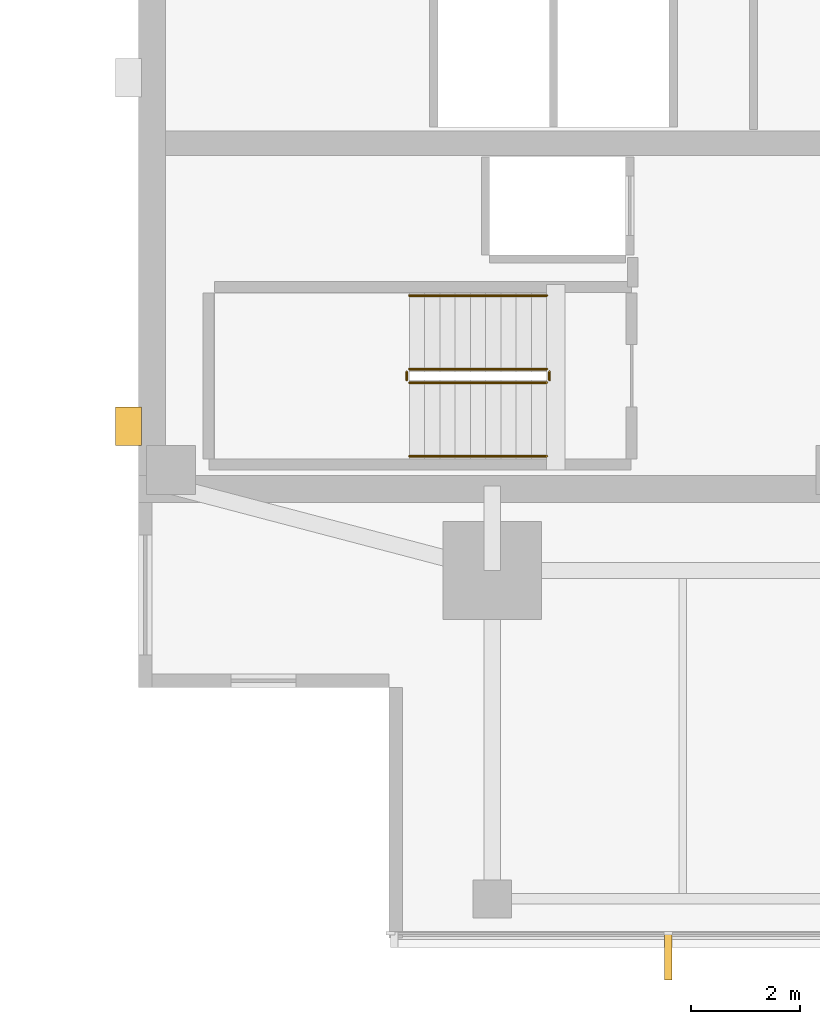
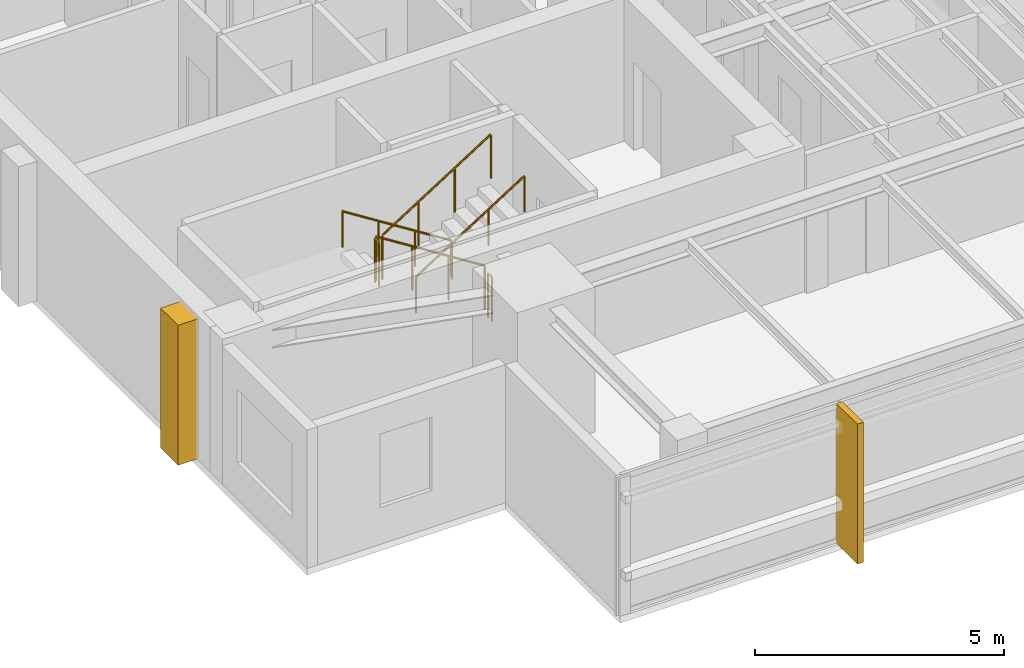
# One storey, part 10 of 13: 6 railings, 2 coverings.
"""IFC4 building model written with IfcOpenShell, lengths in metres."""

from ifc_helpers import new_model, si_unit, direction, frame, origin, origin_2d, place, context, subcontext, project, spatial, polyline, circle, outline, extrude, material, layer, layer_set, type_object, element, save


model = new_model("IFC4")

# Units and contexts
model_context = context("Model", 3, precision=1e-05, world=origin(), true_north=direction((0.0, 1.0)))
body_context = subcontext(model_context, "Body", "Model", "MODEL_VIEW")
ifc_project = project(units=[si_unit("LENGTHUNIT", "METRE"), si_unit("AREAUNIT", "SQUARE_METRE"), si_unit("VOLUMEUNIT", "CUBIC_METRE"), si_unit("PLANEANGLEUNIT", "RADIAN"), si_unit("MASSUNIT", "GRAM", prefix="KILO")], contexts=[model_context])

# Site, building, storey
site_placement = place(None, origin())
site = spatial("IfcSite", under=ifc_project, at=site_placement, CompositionType="ELEMENT")
building_placement = place(site_placement, origin())
building = spatial("IfcBuilding", under=site, at=building_placement, Name="Kinhvarn Gate Tower", CompositionType="ELEMENT")
storey_placement = place(building_placement, frame((0.0, 0.0, 288.300048828125)))
storey = spatial("IfcBuildingStorey", under=building, at=storey_placement, Name="L77", CompositionType="ELEMENT", Elevation=288.300048828125)

# Coverings
ifc_material_1 = material(Name="Fired architectural terracotta", Category="masonry")
ifc_layer_1 = layer(ifc_material_1, 0.139892578125)
ifc_layer_set_1 = layer_set([ifc_layer_1], Name="Fired architectural terracotta")
covering_type_1 = type_object("IfcCoveringType", Name="COV-FIN-850", PredefinedType="CLADDING", material=ifc_layer_set_1)
covering_1_placement = place(storey_placement, frame((0.0, 0.0, -0.02001953125)))
element("IfcCovering", 1, at=covering_1_placement, inside=storey, type_object=covering_type_1, Name="Vertical Terracotta Expressive Fin TFN-850 (L77)", PredefinedType="CLADDING", context=body_context, shape_type="SweptSolid", body=[
    extrude(outline(polyline([(14.163330078125, 6.080078125), (14.30322265625, 6.080078125), (14.30322265625, 5.22998046875), (14.163330078125, 5.22998046875), (14.163330078125, 6.080078125)])), origin(), (0.0, 0.0, 1.0), 3.429931640625),
])
ifc_material_2 = material(Name="Precast white architectural concrete C40/50", Category="concrete")
ifc_layer_2 = layer(ifc_material_2, 0.47998046875)
ifc_layer_set_2 = layer_set([ifc_layer_2], Name="Precast white architectural concrete C40/50")
covering_type_2 = type_object("IfcCoveringType", Name="COV-RIB-450", PredefinedType="CLADDING", material=ifc_layer_set_2)
covering_2_placement = place(storey_placement, frame((0.0, 0.0, -0.02001953125)))
element("IfcCovering", 2, at=covering_2_placement, inside=storey, type_object=covering_type_2, Name="West Core Sculptural Concrete Relief Rib CRB-450 (L77)", PredefinedType="CLADDING", context=body_context, shape_type="SweptSolid", body=[
    extrude(outline(polyline([(4.080078125, 15.050048828125), (4.56005859375, 15.050048828125), (4.56005859375, 15.75), (4.080078125, 15.75), (4.080078125, 15.050048828125)])), origin(), (0.0, 0.0, 1.0), 3.429931640625),
])

# Railings
ifc_material_3 = material(Name="Steel S355", Category="steel")
railing_type_1 = type_object("IfcRailingType", Name="RL-ST-GRD", PredefinedType="BALUSTRADE", material=ifc_material_3)
railing_1_placement = place(storey_placement, frame((12.0, 16.449951171875, 0.177490234375)))
element("IfcRailing", 3, at=railing_1_placement, inside=storey, type_object=railing_type_1, Name="L77 ST1 stair guard 1", PredefinedType="BALUSTRADE", context=body_context, shape_type="SweptSolid", body=[
    extrude(circle(Radius=0.02392578125, at=origin_2d()), frame((0.0, 0.0, 1.076171875), z_axis=(-0.84460694969, 0.0, 0.535386869969), x_axis=(0.0, -1.0, 0.0)), (0.0, 0.0, 1.0), 2.983642578125),
    extrude(circle(Radius=0.02099609375, at=origin_2d()), origin(), (0.0, 0.0, 1.0), 1.052001953125),
    extrude(circle(Radius=0.02099609375, at=origin_2d()), frame((-0.840087890625, 0.0, 0.532470703125)), (0.0, 0.0, 1.0), 1.052001953125),
    extrude(circle(Radius=0.02099609375, at=origin_2d()), frame((-1.679931640625, 0.0, 1.06494140625)), (0.0, 0.0, 1.0), 1.052001953125),
    extrude(circle(Radius=0.02099609375, at=origin_2d()), frame((-2.52001953125, 0.0, 1.597412109375)), (0.0, 0.0, 1.0), 1.052001953125),
])
railing_2_placement = place(storey_placement, frame((9.429931640625, 16.39990234375, 1.77490234375)))
element("IfcRailing", 4, at=railing_2_placement, inside=storey, type_object=railing_type_1, Name="L77 ST1 stair guard 2", PredefinedType="BALUSTRADE", context=body_context, shape_type="SweptSolid", body=[
    extrude(circle(Radius=0.02392578125, at=origin_2d()), frame((0.0, 0.0, 1.076171875), z_axis=(0.0, -1.0, 0.0), x_axis=(1.0, 0.0, 0.0)), (0.0, 0.0, 1.0), 0.14990234375),
    extrude(circle(Radius=0.02099609375, at=origin_2d()), origin(), (0.0, 0.0, 1.0), 1.052001953125),
    extrude(circle(Radius=0.02099609375, at=origin_2d()), frame((0.0, -0.14990234375, 0.0)), (0.0, 0.0, 1.0), 1.052001953125),
])
railing_3_placement = place(storey_placement, frame((9.47998046875, 16.199951171875, 1.952392578125)))
element("IfcRailing", 5, at=railing_3_placement, inside=storey, type_object=railing_type_1, Name="L77 ST1 stair guard 3", PredefinedType="BALUSTRADE", context=body_context, shape_type="SweptSolid", body=[
    extrude(circle(Radius=0.02392578125, at=origin_2d()), frame((0.0, 0.0, 1.076171875), z_axis=(0.84456994832, 0.0, 0.535445237532), x_axis=(0.0, 1.0, 0.0)), (0.0, 0.0, 1.0), 2.98388671875),
    extrude(circle(Radius=0.02099609375, at=origin_2d()), origin(), (0.0, 0.0, 1.0), 1.052001953125),
    extrude(circle(Radius=0.02099609375, at=origin_2d()), frame((0.840087890625, 0.0, 0.532470703125)), (0.0, 0.0, 1.0), 1.052001953125),
    extrude(circle(Radius=0.02099609375, at=origin_2d()), frame((1.679931640625, 0.0, 1.065185546875)), (0.0, 0.0, 1.0), 1.052001953125),
    extrude(circle(Radius=0.02099609375, at=origin_2d()), frame((2.52001953125, 0.0, 1.59765625)), (0.0, 0.0, 1.0), 1.052001953125),
])
railing_4_placement = place(storey_placement, frame((12.050048828125, 16.39990234375, 0.0)))
element("IfcRailing", 6, at=railing_4_placement, inside=storey, type_object=railing_type_1, Name="L77 ST1 stair guard 4", PredefinedType="BALUSTRADE", context=body_context, shape_type="SweptSolid", body=[
    extrude(circle(Radius=0.02392578125, at=origin_2d()), frame((0.0, 0.0, 1.076171875), z_axis=(0.0, -1.0, 0.0), x_axis=(1.0, 0.0, 0.0)), (0.0, 0.0, 1.0), 0.14990234375),
    extrude(circle(Radius=0.02099609375, at=origin_2d()), origin(), (0.0, 0.0, 1.0), 1.052001953125),
    extrude(circle(Radius=0.02099609375, at=origin_2d()), frame((0.0, -0.14990234375, 0.0)), (0.0, 0.0, 1.0), 1.052001953125),
])
railing_type_2 = type_object("IfcRailingType", Name="RL-ST-HND", PredefinedType="HANDRAIL", material=ifc_material_3)
railing_5_placement = place(storey_placement, frame((12.0, 17.800048828125, 0.177490234375)))
element("IfcRailing", 7, at=railing_5_placement, inside=storey, type_object=railing_type_2, Name="L77 ST1 stair handrail 1", PredefinedType="HANDRAIL", context=body_context, shape_type="SweptSolid", body=[
    extrude(circle(Radius=0.02392578125, at=origin_2d()), frame((0.0, 0.0, 0.8759765625), z_axis=(-0.84460694969, 0.0, 0.535386869969), x_axis=(0.0, -1.0, 0.0)), (0.0, 0.0, 1.0), 2.983642578125),
    extrude(circle(Radius=0.02099609375, at=origin_2d()), origin(), (0.0, 0.0, 1.0), 0.851806640625),
    extrude(circle(Radius=0.02099609375, at=origin_2d()), frame((-0.840087890625, 0.0, 0.532470703125)), (0.0, 0.0, 1.0), 0.851806640625),
    extrude(circle(Radius=0.02099609375, at=origin_2d()), frame((-1.679931640625, 0.0, 1.06494140625)), (0.0, 0.0, 1.0), 0.851806640625),
    extrude(circle(Radius=0.02099609375, at=origin_2d()), frame((-2.52001953125, 0.0, 1.597412109375)), (0.0, 0.0, 1.0), 0.851806640625),
])
railing_6_placement = place(storey_placement, frame((9.47998046875, 14.85009765625, 1.952392578125)))
element("IfcRailing", 8, at=railing_6_placement, inside=storey, type_object=railing_type_2, Name="L77 ST1 stair handrail 2", PredefinedType="HANDRAIL", context=body_context, shape_type="SweptSolid", body=[
    extrude(circle(Radius=0.02392578125, at=origin_2d()), frame((0.0, 0.0, 0.8759765625), z_axis=(0.84456994832, 0.0, 0.535445237532), x_axis=(0.0, 1.0, 0.0)), (0.0, 0.0, 1.0), 2.98388671875),
    extrude(circle(Radius=0.02099609375, at=origin_2d()), origin(), (0.0, 0.0, 1.0), 0.851806640625),
    extrude(circle(Radius=0.02099609375, at=origin_2d()), frame((0.840087890625, 0.0, 0.532470703125)), (0.0, 0.0, 1.0), 0.851806640625),
    extrude(circle(Radius=0.02099609375, at=origin_2d()), frame((1.679931640625, 0.0, 1.065185546875)), (0.0, 0.0, 1.0), 0.851806640625),
    extrude(circle(Radius=0.02099609375, at=origin_2d()), frame((2.52001953125, 0.0, 1.59765625)), (0.0, 0.0, 1.0), 0.851806640625),
])

save(model, "model.ifc")
